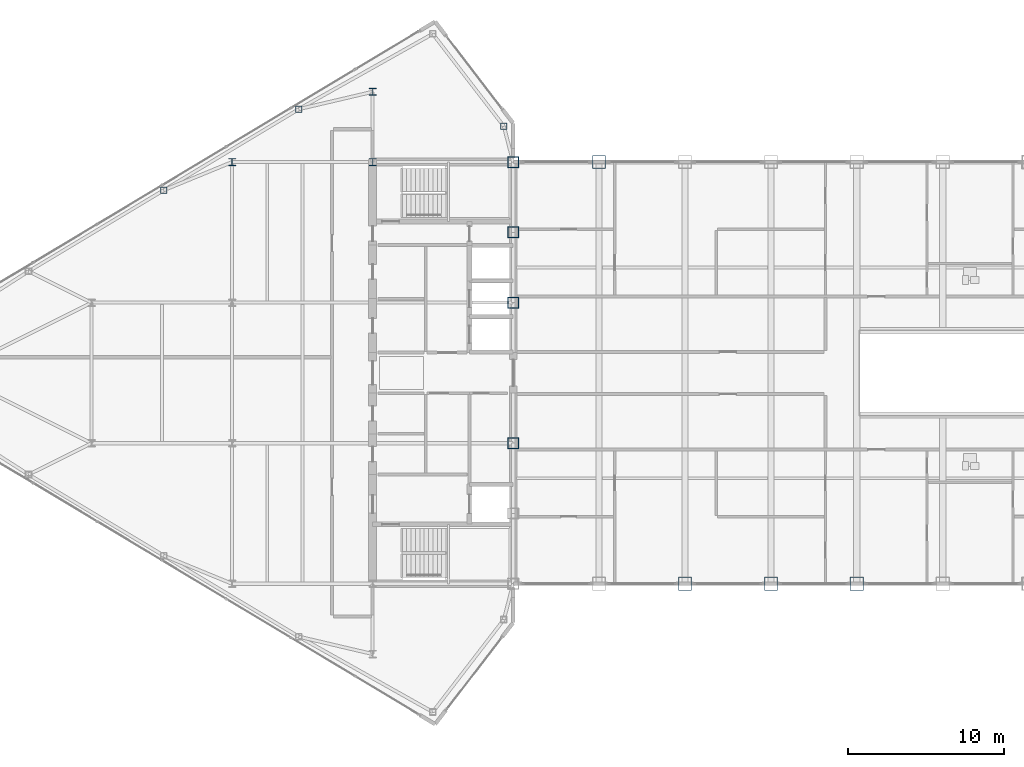
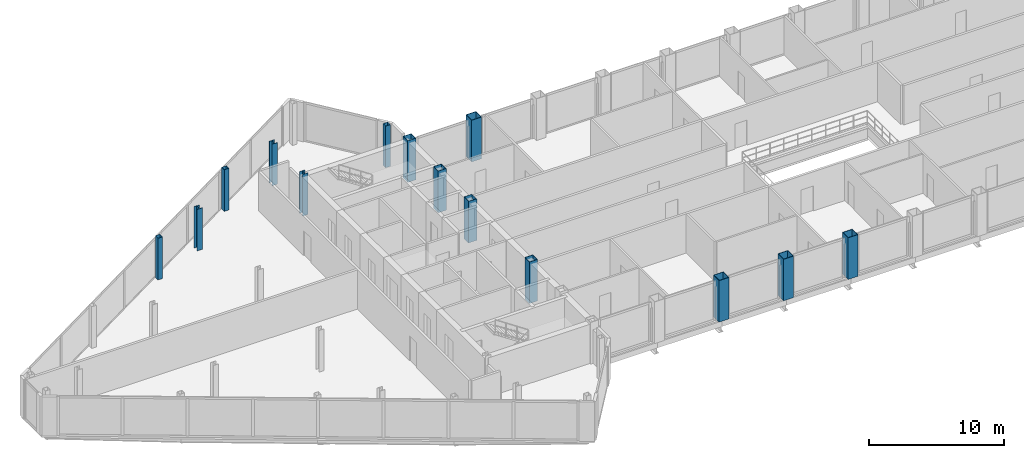
# One storey, part 2 of 29: 14 columns.
"""IFC4 building model written with IfcOpenShell, lengths in metres."""

from ifc_helpers import new_model, si_unit, direction, frame, origin, origin_2d, place, context, subcontext, project, spatial, hollow_rectangle, i_section, extrude, source, transform, mapped, material, material_profile, profile_set, type_object, type_shapes, element, save


model = new_model("IFC4")

# Units and contexts
model_context = context("Model", 3, precision=1e-05, world=origin(), true_north=direction((0.0, 1.0)))
body_context = subcontext(model_context, "Body", "Model", "MODEL_VIEW")
ifc_project = project(units=[si_unit("LENGTHUNIT", "METRE"), si_unit("AREAUNIT", "SQUARE_METRE"), si_unit("VOLUMEUNIT", "CUBIC_METRE"), si_unit("PLANEANGLEUNIT", "RADIAN"), si_unit("MASSUNIT", "GRAM", prefix="KILO")], contexts=[model_context])

# Site, building, storey
site_placement = place(None, origin())
site = spatial("IfcSite", under=ifc_project, at=site_placement, CompositionType="ELEMENT")
building_placement = place(site_placement, origin())
building = spatial("IfcBuilding", under=site, at=building_placement, Name="Seokmaru Belvedere", CompositionType="ELEMENT")
storey_placement = place(building_placement, frame((0.0, 0.0, 258.14990234375)))
storey = spatial("IfcBuildingStorey", under=building, at=storey_placement, Name="L68", CompositionType="ELEMENT", Elevation=258.14990234375)

# Columns
ifc_material_1 = material(Name="Steel SM355 (355 MPa)", Category="steel")
ifc_material_profile_1 = material_profile(ifc_material_1, hollow_rectangle(XDim=0.699951171875, YDim=0.699951171875, WallThickness=0.030029296875, at=origin_2d()), Name="BOX-700x700x30")
ifc_profile_set_1 = profile_set([ifc_material_profile_1], Name="Steel SM355 (355 MPa)")
column_type_1 = type_object("IfcColumnType", Name="Upper Spine Column BOX-700", PredefinedType="COLUMN", material=ifc_profile_set_1)
shared_shape_1 = source(origin(), body_context, "Body", "SweptSolid", [
    extrude(hollow_rectangle(XDim=0.699951171875, YDim=0.699951171875, WallThickness=0.030029296875, at=origin_2d()), origin(), (0.0, 0.0, 1.0), 3.75),
])
type_shapes(column_type_1, [shared_shape_1])
for number, where, z_axis, x_axis, name in (
    (1, (-27.5, -4.5, 0.0), (0.0, 0.0, 1.0), (1.0, 0.0, 0.0), "L68 Column WS3"),
    (2, (-27.5, 4.5, 0.0), (0.0, 0.0, 1.0), (1.0, 0.0, 0.0), "L68 Column WS4"),
    (3, (-27.5, 9.0, 0.0), (0.0, 0.0, 1.0), (1.0, 0.0, 0.0), "L68 Column WS5"),
    (4, (-27.5, 13.5, 0.0), (0.0, 0.0, 1.0), (1.0, 0.0, 0.0), "L68 Column WS6"),
):
    element("IfcColumn", number, at=place(storey_placement, frame(where, z_axis=z_axis, x_axis=x_axis)), inside=storey, type_object=column_type_1, Name=name, PredefinedType="COLUMN", context=body_context, shape_type="MappedRepresentation", body=[
        mapped(shared_shape_1, transform((0.0, 0.0, 0.0), scale=1.0)),
    ])
ifc_material_profile_2 = material_profile(ifc_material_1, i_section(OverallWidth=0.449951171875, OverallDepth=0.449951171875, WebThickness=0.01611328125, FlangeThickness=0.02490234375, at=origin_2d()), Name="H-450x450x16x25")
ifc_profile_set_2 = profile_set([ifc_material_profile_2], Name="Steel SM355 (355 MPa)")
column_type_2 = type_object("IfcColumnType", Name="Sky-Gate Column H-450", PredefinedType="COLUMN", material=ifc_profile_set_2)
shared_shape_2 = source(origin(), body_context, "Body", "SweptSolid", [
    extrude(i_section(OverallWidth=0.449951171875, OverallDepth=0.449951171875, WebThickness=0.01611328125, FlangeThickness=0.02490234375, at=origin_2d()), origin(), (0.0, 0.0, 1.0), 3.75),
])
type_shapes(column_type_2, [shared_shape_2])
for number, where, z_axis, x_axis, name in (
    (5, (-36.5, 13.5, 0.0), (0.0, 0.0, 1.0), (1.0, 0.0, 0.0), "L68 Column WC3"),
    (6, (-36.5, 18.0, 0.0), (0.0, 0.0, 1.0), (1.0, 0.0, 0.0), "L68 Column WC4"),
    (7, (-45.5, 13.5, 0.0), (0.0, 0.0, 1.0), (1.0, 0.0, 0.0), "L68 Column WG5_4"),
):
    element("IfcColumn", number, at=place(storey_placement, frame(where, z_axis=z_axis, x_axis=x_axis)), inside=storey, type_object=column_type_2, Name=name, PredefinedType="COLUMN", context=body_context, shape_type="MappedRepresentation", body=[
        mapped(shared_shape_2, transform((0.0, 0.0, 0.0), scale=1.0)),
    ])
ifc_material_profile_3 = material_profile(ifc_material_1, hollow_rectangle(XDim=0.39990234375, YDim=0.39990234375, WallThickness=0.01611328125, at=origin_2d()), Name="HSS-400x400x16")
ifc_profile_set_3 = profile_set([ifc_material_profile_3], Name="Steel SM355 (355 MPa)")
column_type_3 = type_object("IfcColumnType", Name="Perimeter Facet Column HSS-400", PredefinedType="COLUMN", material=ifc_profile_set_3)
shared_shape_3 = source(origin(), body_context, "Body", "SweptSolid", [
    extrude(hollow_rectangle(XDim=0.39990234375, YDim=0.39990234375, WallThickness=0.01611328125, at=origin_2d()), origin(), (0.0, 0.0, 1.0), 3.75),
])
type_shapes(column_type_3, [shared_shape_3])
for number, where, z_axis, x_axis, name in (
    (8, (-28.10009765625, 15.7958984375, 0.0), (0.0, 0.0, 1.0), (1.0, 0.0, 0.0), "L68 Column WF2"),
    (9, (-41.229736328125, 16.888916015625, 0.0), (0.0, 0.0, 1.0), (1.0, 0.0, 0.0), "L68 Column WFLK_N1"),
    (10, (-49.8798828125, 11.698974609375, 0.0), (0.0, 0.0, 1.0), (1.0, 0.0, 0.0), "L68 Column WFLK_N2"),
):
    element("IfcColumn", number, at=place(storey_placement, frame(where, z_axis=z_axis, x_axis=x_axis)), inside=storey, type_object=column_type_3, Name=name, PredefinedType="COLUMN", context=body_context, shape_type="MappedRepresentation", body=[
        mapped(shared_shape_3, transform((0.0, 0.0, 0.0), scale=1.0)),
    ])
ifc_material_2 = material(Name="Steel HSA650 (650 MPa)", Category="steel")
ifc_material_profile_4 = material_profile(ifc_material_2, hollow_rectangle(XDim=0.85009765625, YDim=0.85009765625, WallThickness=0.035888671875, at=origin_2d()), Name="BOX-850x850x36")
ifc_profile_set_4 = profile_set([ifc_material_profile_4], Name="Steel HSA650 (650 MPa)")
column_type_4 = type_object("IfcColumnType", Name="Portal Spine Column BOX-850", PredefinedType="COLUMN", material=ifc_profile_set_4)
shared_shape_4 = source(origin(), body_context, "Body", "SweptSolid", [
    extrude(hollow_rectangle(XDim=0.85009765625, YDim=0.85009765625, WallThickness=0.035888671875, at=origin_2d()), origin(), (0.0, 0.0, 1.0), 3.75),
])
type_shapes(column_type_4, [shared_shape_4])
for number, where, z_axis, x_axis, name in (
    (11, (-22.0, 13.5, 0.0), (0.0, 0.0, 1.0), (1.0, 0.0, 0.0), "L68 Column BRN_1"),
    (12, (-16.5, -13.5, 0.0), (0.0, 0.0, 1.0), (1.0, 0.0, 0.0), "L68 Column BRS_2"),
    (13, (-11.0, -13.5, 0.0), (0.0, 0.0, 1.0), (1.0, 0.0, 0.0), "L68 Column BRS_3"),
    (14, (-5.5, -13.5, 0.0), (0.0, 0.0, 1.0), (1.0, 0.0, 0.0), "L68 Column BRS_4"),
):
    element("IfcColumn", number, at=place(storey_placement, frame(where, z_axis=z_axis, x_axis=x_axis)), inside=storey, type_object=column_type_4, Name=name, PredefinedType="COLUMN", context=body_context, shape_type="MappedRepresentation", body=[
        mapped(shared_shape_4, transform((0.0, 0.0, 0.0), scale=1.0)),
    ])

save(model, "model.ifc")
